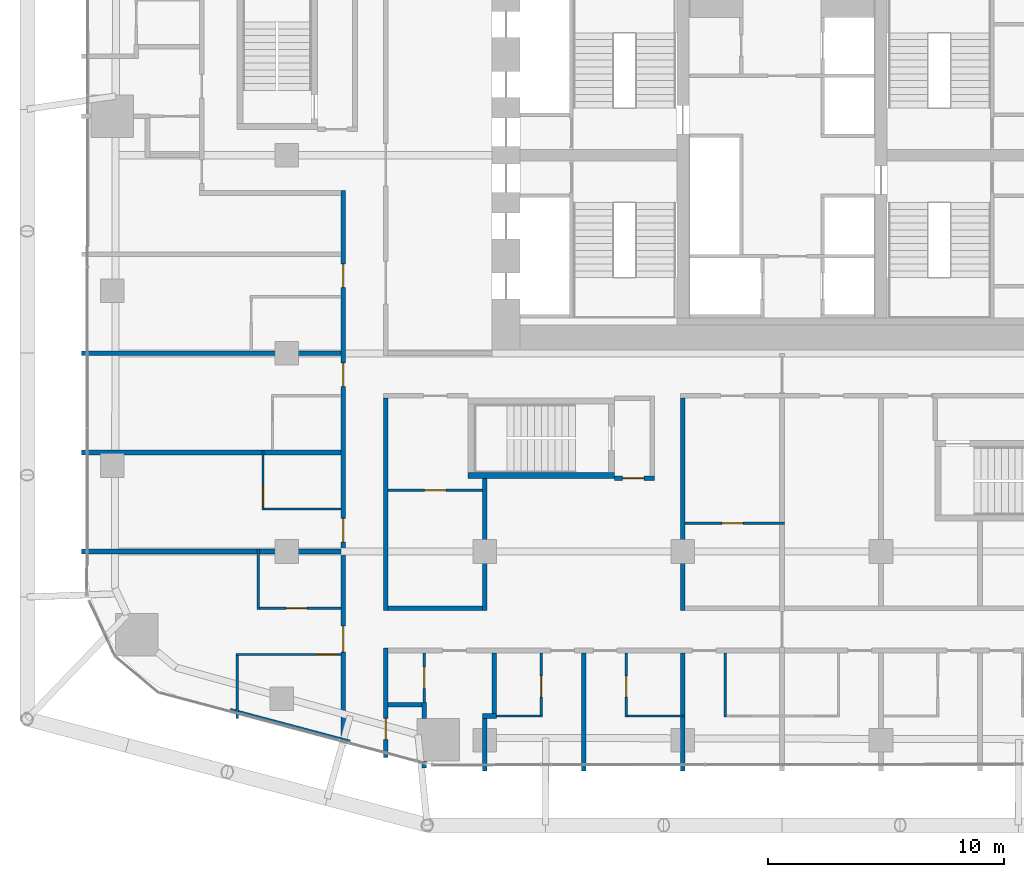
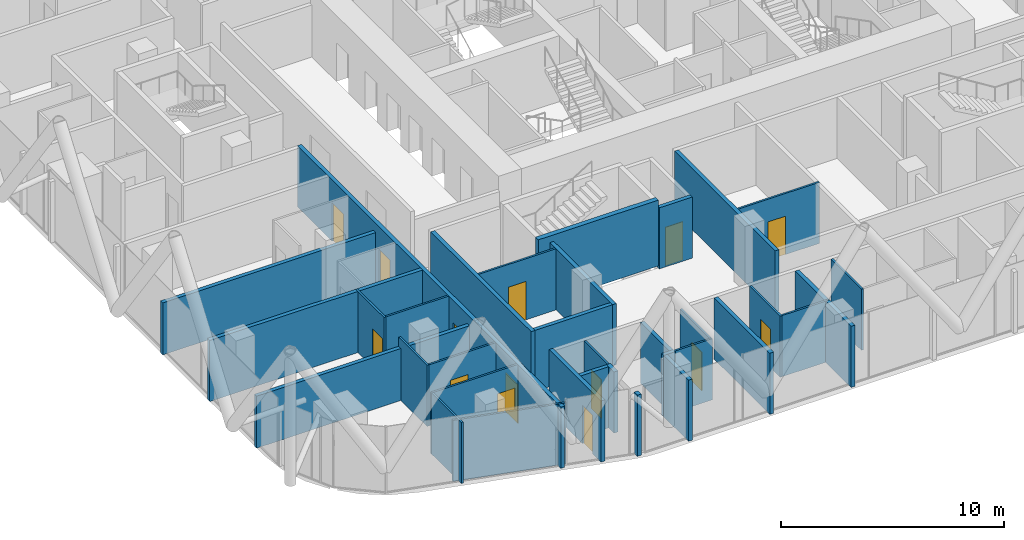
# One storey, part 28 of 38: 34 walls, 14 doors, 14 openings.
"""IFC4 building model written with IfcOpenShell, lengths in metres."""

from ifc_helpers import new_model, si_unit, direction, frame, frame_2d, origin, place, context, subcontext, project, spatial, rectangle, extrude, material, layer, layer_set, type_object, element, fill, save


model = new_model("IFC4")

# Units and contexts
model_context = context("Model", 3, precision=1e-05, world=origin(), true_north=direction((0.0, 1.0)))
body_context = subcontext(model_context, "Body", "Model", "MODEL_VIEW")
ifc_project = project(units=[si_unit("LENGTHUNIT", "METRE"), si_unit("AREAUNIT", "SQUARE_METRE"), si_unit("VOLUMEUNIT", "CUBIC_METRE"), si_unit("PLANEANGLEUNIT", "RADIAN"), si_unit("MASSUNIT", "GRAM", prefix="KILO")], contexts=[model_context])

# Site, building, storey
site_placement = place(None, origin())
site = spatial("IfcSite", under=ifc_project, at=site_placement, CompositionType="ELEMENT")
building_placement = place(site_placement, origin())
building = spatial("IfcBuilding", under=site, at=building_placement, Name="Marenta Gate Hotel Tower", CompositionType="ELEMENT")
storey_placement = place(building_placement, frame((0.0, 0.0, 40.10009765625)))
storey = spatial("IfcBuildingStorey", under=building, at=storey_placement, Name="L07", CompositionType="ELEMENT", Elevation=40.10009765625)

# Walls
ifc_material_1 = material(Name="Concrete C40", Category="concrete")
ifc_layer_1 = layer(ifc_material_1, 0.25)
ifc_layer_set_1 = layer_set([ifc_layer_1], Name="Concrete C40")
wall_type_1 = type_object("IfcWallType", Name="Remote stair enclosure wall 250 REI 180", PredefinedType="SHEAR", material=ifc_layer_set_1)
wall_1_placement = place(storey_placement, frame((-13.300048828125, -5.175048828125, 0.099853515625), z_axis=(0.0, 0.0, 1.0), x_axis=(1.0, 0.0, 0.0)))
element("IfcWall", 1, at=wall_1_placement, inside=storey, type_object=wall_type_1, Name="L07-RS-Z1-2-W1", PredefinedType="SHEAR", context=body_context, shape_type="SweptSolid", body=[
    extrude(rectangle(XDim=6.199951171875, YDim=0.25, at=frame_2d((3.10009765625, 0.0))), origin(), (0.0, 0.0, 1.0), 3.60009765625),
])
ifc_material_2 = material(Name="Concrete blockwork", Category="masonry")
ifc_layer_2 = layer(ifc_material_2, 0.199951171875)
ifc_layer_set_2 = layer_set([ifc_layer_2], Name="Concrete blockwork")
wall_type_2 = type_object("IfcWallType", Name="Room corridor wall 200 EI 120", PredefinedType="PARTITIONING", material=ifc_layer_set_2)
wall_2_placement = place(storey_placement, frame((-4.199951171875, -10.89990234375, 0.0), z_axis=(0.0, 0.0, 1.0), x_axis=(0.0, 1.0, 0.0)))
element("IfcWall", 2, at=wall_2_placement, inside=storey, type_object=wall_type_2, Name="L07-PTN-W080", PredefinedType="PARTITIONING", context=body_context, shape_type="SweptSolid", body=[
    extrude(rectangle(XDim=9.0, YDim=0.199951171875, at=frame_2d((4.5, 0.0))), origin(), (0.0, 0.0, 1.0), 3.33984375),
])

# Wall, opening, door
wall_3_placement = place(storey_placement, frame((-16.800048828125, -17.14306640625, 0.0), z_axis=(0.0, 0.0, 1.0), x_axis=(0.0, 1.0, 0.0)))
wall_3 = element("IfcWall", 3, at=wall_3_placement, inside=storey, type_object=wall_type_2, Name="L07-PTN-W110", PredefinedType="PARTITIONING", context=body_context, shape_type="SweptSolid", body=[
    extrude(rectangle(XDim=4.64306640625, YDim=0.199951171875, at=frame_2d((2.321533203125, 0.0))), origin(), (0.0, 0.0, 1.0), 3.33984375),
])
opening_1_placement = place(wall_3_placement, frame((0.77197265625, 0.0, 0.0)))
opening_1 = element("IfcOpeningElement", 4, at=opening_1_placement, cuts=wall_3, Name="Opening G02-78", PredefinedType="OPENING", context=body_context, shape_type="SweptSolid", body=[
    extrude(rectangle(XDim=0.89990234375, YDim=2.10009765625, at=frame_2d((0.449951171875, 1.050048828125))), frame((0.0, 0.10009765625, 0.0), z_axis=(0.0, -1.0, 0.0), x_axis=(1.0, 0.0, 0.0)), (0.0, 0.0, 1.0), 0.199951171875),
])
ifc_material_3 = material(Name="Hollow steel door set", Category="steel")
door_type_1 = type_object("IfcDoorType", Name="Room service door 900x2100 EI 60", OperationType="NOTDEFINED", PredefinedType="DOOR", material=ifc_material_3)
door_1_placement = place(opening_1_placement, origin())
door_1 = element("IfcDoor", 5, at=door_1_placement, inside=storey, type_object=door_type_1, Name="L07-PD-D078", OperationType="SINGLE_SWING_LEFT", OverallHeight=2.10009765625, OverallWidth=0.89990234375, PredefinedType="DOOR", context=body_context, shape_type="SweptSolid", body=[
    extrude(rectangle(XDim=0.89990234375, YDim=2.10009765625, at=frame_2d((0.449951171875, 1.050048828125))), frame((0.0, 0.02490234375, 0.0), z_axis=(0.0, -1.0, 0.0), x_axis=(1.0, 0.0, 0.0)), (0.0, 0.0, 1.0), 0.050048828125),
])
fill(opening_1, door_1)

# Walls
ifc_material_4 = material(Name="Gypsum board on steel stud", Category="steel")
ifc_layer_3 = layer(ifc_material_4, 0.199951171875)
ifc_layer_set_3 = layer_set([ifc_layer_3], Name="Gypsum board on steel stud")
wall_type_3 = type_object("IfcWallType", Name="Room corridor wall 200 EI 60", PredefinedType="PARTITIONING", material=ifc_layer_set_3)
wall_4_placement = place(storey_placement, frame((-16.699951171875, -10.800048828125, 0.0), z_axis=(0.0, 0.0, 1.0), x_axis=(1.0, 0.0, 0.0)))
element("IfcWall", 6, at=wall_4_placement, inside=storey, type_object=wall_type_3, Name="L07-PTN-W038", PredefinedType="PARTITIONING", context=body_context, shape_type="SweptSolid", body=[
    extrude(rectangle(XDim=4.0, YDim=0.199951171875, at=frame_2d((2.0, 0.0))), origin(), (0.0, 0.0, 1.0), 3.33984375),
])
wall_5_placement = place(storey_placement, frame((-12.60009765625, -10.89990234375, 0.0), z_axis=(0.0, 0.0, 1.0), x_axis=(0.0, 1.0, 0.0)))
element("IfcWall", 7, at=wall_5_placement, inside=storey, type_object=wall_type_3, Name="L07-PTN-W100", PredefinedType="PARTITIONING", context=body_context, shape_type="SweptSolid", body=[
    extrude(rectangle(XDim=5.599853515625, YDim=0.199951171875, at=frame_2d((2.7998046875, 0.0))), origin(), (0.0, 0.0, 1.0), 3.33984375),
])
wall_6_placement = place(storey_placement, frame((-16.800048828125, -10.89990234375, 0.0), z_axis=(0.0, 0.0, 1.0), x_axis=(0.0, 1.0, 0.0)))
element("IfcWall", 8, at=wall_6_placement, inside=storey, type_object=wall_type_3, Name="L07-PTN-W111", PredefinedType="PARTITIONING", context=body_context, shape_type="SweptSolid", body=[
    extrude(rectangle(XDim=9.0, YDim=0.199951171875, at=frame_2d((4.5, 0.0))), origin(), (0.0, 0.0, 1.0), 3.33984375),
])

# Wall, openings, doors
wall_7_placement = place(storey_placement, frame((-18.60009765625, -16.6650390625, 0.0), z_axis=(0.0, 0.0, 1.0), x_axis=(0.0, 1.0, 0.0)))
wall_7 = element("IfcWall", 9, at=wall_7_placement, inside=storey, type_object=wall_type_3, Name="L07-PTN-W119", PredefinedType="PARTITIONING", context=body_context, shape_type="SweptSolid", body=[
    extrude(rectangle(XDim=23.56494140625, YDim=0.199951171875, at=frame_2d((11.782470703125, 0.0))), origin(), (0.0, 0.0, 1.0), 3.33984375),
])
opening_2_placement = place(wall_7_placement, frame((4.0, 0.0, 0.0)))
opening_2 = element("IfcOpeningElement", 10, at=opening_2_placement, cuts=wall_7, Name="Opening G02-52", PredefinedType="OPENING", context=body_context, shape_type="SweptSolid", body=[
    extrude(rectangle(XDim=1.10009765625, YDim=2.10009765625, at=frame_2d((0.550048828125, 1.050048828125))), frame((0.0, 0.10009765625, 0.0), z_axis=(0.0, -1.0, 0.0), x_axis=(1.0, 0.0, 0.0)), (0.0, 0.0, 1.0), 0.199951171875),
])
opening_3_placement = place(wall_7_placement, frame((8.6650390625, 0.0, 0.0)))
opening_3 = element("IfcOpeningElement", 11, at=opening_3_placement, cuts=wall_7, Name="Opening G02-55", PredefinedType="OPENING", context=body_context, shape_type="SweptSolid", body=[
    extrude(rectangle(XDim=1.0, YDim=2.10009765625, at=frame_2d((0.5, 1.050048828125))), frame((0.0, 0.10009765625, 0.0), z_axis=(0.0, -1.0, 0.0), x_axis=(1.0, 0.0, 0.0)), (0.0, 0.0, 1.0), 0.199951171875),
])
opening_4_placement = place(wall_7_placement, frame((15.264892578125, 0.0, 0.0)))
opening_4 = element("IfcOpeningElement", 12, at=opening_4_placement, cuts=wall_7, Name="Opening G02-57", PredefinedType="OPENING", context=body_context, shape_type="SweptSolid", body=[
    extrude(rectangle(XDim=1.0, YDim=2.10009765625, at=frame_2d((0.5, 1.050048828125))), frame((0.0, 0.10009765625, 0.0), z_axis=(0.0, -1.0, 0.0), x_axis=(1.0, 0.0, 0.0)), (0.0, 0.0, 1.0), 0.199951171875),
])
opening_5_placement = place(wall_7_placement, frame((19.465087890625, 0.0, 0.0)))
opening_5 = element("IfcOpeningElement", 13, at=opening_5_placement, cuts=wall_7, Name="Opening G02-59", PredefinedType="OPENING", context=body_context, shape_type="SweptSolid", body=[
    extrude(rectangle(XDim=1.0, YDim=2.10009765625, at=frame_2d((0.5, 1.050048828125))), frame((0.0, 0.10009765625, 0.0), z_axis=(0.0, -1.0, 0.0), x_axis=(1.0, 0.0, 0.0)), (0.0, 0.0, 1.0), 0.199951171875),
])
ifc_material_5 = material(Name="Timber door leaf", Category="wood")
door_type_2 = type_object("IfcDoorType", Name="Guest room door 1000x2100 EI 30", OperationType="NOTDEFINED", PredefinedType="DOOR", material=ifc_material_5)
door_2_placement = place(opening_3_placement, origin())
door_2 = element("IfcDoor", 14, at=door_2_placement, inside=storey, type_object=door_type_2, Name="L07-PD-D055", OperationType="SINGLE_SWING_RIGHT", OverallHeight=2.10009765625, OverallWidth=1.0, PredefinedType="DOOR", context=body_context, shape_type="SweptSolid", body=[
    extrude(rectangle(XDim=1.0, YDim=2.10009765625, at=frame_2d((0.5, 1.050048828125))), frame((0.0, 0.02490234375, 0.0), z_axis=(0.0, -1.0, 0.0), x_axis=(1.0, 0.0, 0.0)), (0.0, 0.0, 1.0), 0.050048828125),
])
fill(opening_3, door_2)
door_3_placement = place(opening_4_placement, origin())
door_3 = element("IfcDoor", 15, at=door_3_placement, inside=storey, type_object=door_type_2, Name="L07-PD-D057", OperationType="SINGLE_SWING_RIGHT", OverallHeight=2.10009765625, OverallWidth=1.0, PredefinedType="DOOR", context=body_context, shape_type="SweptSolid", body=[
    extrude(rectangle(XDim=1.0, YDim=2.10009765625, at=frame_2d((0.5, 1.050048828125))), frame((0.0, 0.02490234375, 0.0), z_axis=(0.0, -1.0, 0.0), x_axis=(1.0, 0.0, 0.0)), (0.0, 0.0, 1.0), 0.050048828125),
])
fill(opening_4, door_3)
door_4_placement = place(opening_5_placement, origin())
door_4 = element("IfcDoor", 16, at=door_4_placement, inside=storey, type_object=door_type_2, Name="L07-PD-D059", OperationType="SINGLE_SWING_RIGHT", OverallHeight=2.10009765625, OverallWidth=1.0, PredefinedType="DOOR", context=body_context, shape_type="SweptSolid", body=[
    extrude(rectangle(XDim=1.0, YDim=2.10009765625, at=frame_2d((0.5, 1.050048828125))), frame((0.0, 0.02490234375, 0.0), z_axis=(0.0, -1.0, 0.0), x_axis=(1.0, 0.0, 0.0)), (0.0, 0.0, 1.0), 0.050048828125),
])
fill(opening_5, door_4)
ifc_material_6 = material(Name="Timber door leaf", Category="wood")
door_type_3 = type_object("IfcDoorType", Name="Guest room door 1100x2100 EI 30", OperationType="NOTDEFINED", PredefinedType="DOOR", material=ifc_material_6)
door_5_placement = place(opening_2_placement, origin())
door_5 = element("IfcDoor", 17, at=door_5_placement, inside=storey, type_object=door_type_3, Name="L07-PD-D052", OperationType="SINGLE_SWING_LEFT", OverallHeight=2.10009765625, OverallWidth=1.10009765625, PredefinedType="DOOR", context=body_context, shape_type="SweptSolid", body=[
    extrude(rectangle(XDim=1.10009765625, YDim=2.10009765625, at=frame_2d((0.550048828125, 1.050048828125))), frame((0.0, 0.02490234375, 0.0), z_axis=(0.0, -1.0, 0.0), x_axis=(1.0, 0.0, 0.0)), (0.0, 0.0, 1.0), 0.050048828125),
])
fill(opening_2, door_5)

# Wall, opening, door
ifc_material_7 = material(Name="Concrete blockwork", Category="masonry")
ifc_layer_4 = layer(ifc_material_7, 0.199951171875)
ifc_layer_set_4 = layer_set([ifc_layer_4], Name="Concrete blockwork")
wall_type_4 = type_object("IfcWallType", Name="Room corridor wall 200 REI 180", PredefinedType="PARTITIONING", material=ifc_layer_set_4)
wall_8_placement = place(storey_placement, frame((-7.10009765625, -5.300048828125, 0.0), z_axis=(0.0, 0.0, 1.0), x_axis=(1.0, 0.0, 0.0)))
wall_8 = element("IfcWall", 18, at=wall_8_placement, inside=storey, type_object=wall_type_4, Name="L07-PTN-W053", PredefinedType="PARTITIONING", context=body_context, shape_type="SweptSolid", body=[
    extrude(rectangle(XDim=1.7001953125, YDim=0.199951171875, at=frame_2d((0.85009765625, 0.0))), origin(), (0.0, 0.0, 1.0), 3.33984375),
])
opening_6_placement = place(wall_8_placement, frame((0.35009765625, 0.0, 0.0)))
opening_6 = element("IfcOpeningElement", 19, at=opening_6_placement, cuts=wall_8, Name="Opening G02-69", PredefinedType="OPENING", context=body_context, shape_type="SweptSolid", body=[
    extrude(rectangle(XDim=0.89990234375, YDim=2.10009765625, at=frame_2d((0.449951171875, 1.050048828125))), frame((0.0, 0.10009765625, 0.0), z_axis=(0.0, -1.0, 0.0), x_axis=(1.0, 0.0, 0.0)), (0.0, 0.0, 1.0), 0.199951171875),
])
ifc_material_8 = material(Name="Hollow steel door set", Category="steel")
door_type_4 = type_object("IfcDoorType", Name="Stair vestibule door 900x2100 EI 60", OperationType="NOTDEFINED", PredefinedType="DOOR", material=ifc_material_8)
door_6_placement = place(opening_6_placement, origin())
door_6 = element("IfcDoor", 20, at=door_6_placement, inside=storey, type_object=door_type_4, Name="L07-PD-D069", OperationType="SINGLE_SWING_RIGHT", OverallHeight=2.10009765625, OverallWidth=0.89990234375, PredefinedType="DOOR", context=body_context, shape_type="SweptSolid", body=[
    extrude(rectangle(XDim=0.89990234375, YDim=2.10009765625, at=frame_2d((0.449951171875, 1.050048828125))), frame((0.0, 0.02490234375, 0.0), z_axis=(0.0, -1.0, 0.0), x_axis=(1.0, 0.0, 0.0)), (0.0, 0.0, 1.0), 0.050048828125),
])
fill(opening_6, door_6)

# Walls
ifc_material_9 = material(Name="Gypsum board on steel stud", Category="steel")
ifc_layer_5 = layer(ifc_material_9, 0.10009765625)
ifc_layer_set_5 = layer_set([ifc_layer_5], Name="Gypsum board on steel stud")
wall_type_5 = type_object("IfcWallType", Name="Room partition 100", PredefinedType="PARTITIONING", material=ifc_layer_set_5)
wall_9_placement = place(storey_placement, frame((-23.389892578125, -15.093994140625, 0.0), z_axis=(0.0, 0.0, 1.0), x_axis=(0.966552628131, -0.256468354876, 0.0)))
element("IfcWall", 21, at=wall_9_placement, inside=storey, type_object=wall_type_5, Name="L07-PTN-W010", PredefinedType="PARTITIONING", context=body_context, shape_type="SweptSolid", body=[
    extrude(rectangle(XDim=5.255615234375, YDim=0.10009765625, at=frame_2d((2.6279296875, 0.0))), origin(), (0.0, 0.0, 1.0), 3.33984375),
])
wall_10_placement = place(storey_placement, frame((-12.10009765625, -15.375, 0.0), z_axis=(0.0, 0.0, 1.0), x_axis=(1.0, 0.0, 0.0)))
element("IfcWall", 22, at=wall_10_placement, inside=storey, type_object=wall_type_5, Name="L07-PTN-W019", PredefinedType="PARTITIONING", context=body_context, shape_type="SweptSolid", body=[
    extrude(rectangle(XDim=1.9501953125, YDim=0.10009765625, at=frame_2d((0.97509765625, 0.0))), origin(), (0.0, 0.0, 1.0), 3.33984375),
])
wall_11_placement = place(storey_placement, frame((-6.550048828125, -15.375, 0.0), z_axis=(0.0, 0.0, 1.0), x_axis=(1.0, 0.0, 0.0)))
element("IfcWall", 23, at=wall_11_placement, inside=storey, type_object=wall_type_5, Name="L07-PTN-W020", PredefinedType="PARTITIONING", context=body_context, shape_type="SweptSolid", body=[
    extrude(rectangle(XDim=2.449951171875, YDim=0.10009765625, at=frame_2d((1.22509765625, 0.0))), origin(), (0.0, 0.0, 1.0), 3.33984375),
])

# Wall, opening, door
wall_12_placement = place(storey_placement, frame((-23.14990234375, -12.764892578125, 0.0), z_axis=(0.0, 0.0, 1.0), x_axis=(1.0, 0.0, 0.0)))
wall_12 = element("IfcWall", 24, at=wall_12_placement, inside=storey, type_object=wall_type_5, Name="L07-PTN-W029", PredefinedType="PARTITIONING", context=body_context, shape_type="SweptSolid", body=[
    extrude(rectangle(XDim=4.449951171875, YDim=0.10009765625, at=frame_2d((2.22509765625, 0.0))), origin(), (0.0, 0.0, 1.0), 3.33984375),
])
opening_7_placement = place(wall_12_placement, frame((3.39990234375, 0.0, 0.0)))
opening_7 = element("IfcOpeningElement", 25, at=opening_7_placement, cuts=wall_12, Name="Opening G02-53", PredefinedType="OPENING", context=body_context, shape_type="SweptSolid", body=[
    extrude(rectangle(XDim=0.89990234375, YDim=2.10009765625, at=frame_2d((0.449951171875, 1.050048828125))), frame((0.0, 0.050048828125, 0.0), z_axis=(0.0, -1.0, 0.0), x_axis=(1.0, 0.0, 0.0)), (0.0, 0.0, 1.0), 0.10009765625),
])
ifc_material_10 = material(Name="Timber door leaf", Category="wood")
door_type_5 = type_object("IfcDoorType", Name="Guest bathroom door 900x2100", OperationType="NOTDEFINED", PredefinedType="DOOR", material=ifc_material_10)
door_7_placement = place(opening_7_placement, origin())
door_7 = element("IfcDoor", 26, at=door_7_placement, inside=storey, type_object=door_type_5, Name="L07-PD-D053", OperationType="SINGLE_SWING_LEFT", OverallHeight=2.10009765625, OverallWidth=0.89990234375, PredefinedType="DOOR", context=body_context, shape_type="SweptSolid", body=[
    extrude(rectangle(XDim=0.89990234375, YDim=2.10009765625, at=frame_2d((0.449951171875, 1.050048828125))), frame((0.0, 0.02490234375, 0.0), z_axis=(0.0, -1.0, 0.0), x_axis=(1.0, 0.0, 0.0)), (0.0, 0.0, 1.0), 0.050048828125),
])
fill(opening_7, door_7)

wall_13_placement = place(storey_placement, frame((-22.14990234375, -10.800048828125, 0.0), z_axis=(0.0, 0.0, 1.0), x_axis=(1.0, 0.0, 0.0)))
wall_13 = element("IfcWall", 27, at=wall_13_placement, inside=storey, type_object=wall_type_5, Name="L07-PTN-W036", PredefinedType="PARTITIONING", context=body_context, shape_type="SweptSolid", body=[
    extrude(rectangle(XDim=3.449951171875, YDim=0.10009765625, at=frame_2d((1.72509765625, 0.0))), origin(), (0.0, 0.0, 1.0), 3.33984375),
])
opening_8_placement = place(wall_13_placement, frame((1.1201171875, 0.0, 0.0)))
opening_8 = element("IfcOpeningElement", 28, at=opening_8_placement, cuts=wall_13, Name="Opening G02-54", PredefinedType="OPENING", context=body_context, shape_type="SweptSolid", body=[
    extrude(rectangle(XDim=0.89990234375, YDim=2.10009765625, at=frame_2d((0.449951171875, 1.050048828125))), frame((0.0, 0.050048828125, 0.0), z_axis=(0.0, -1.0, 0.0), x_axis=(1.0, 0.0, 0.0)), (0.0, 0.0, 1.0), 0.10009765625),
])
ifc_material_11 = material(Name="Timber door leaf", Category="wood")
door_type_6 = type_object("IfcDoorType", Name="Room inner door 900x2100", OperationType="NOTDEFINED", PredefinedType="DOOR", material=ifc_material_11)
door_8_placement = place(opening_8_placement, origin())
door_8 = element("IfcDoor", 29, at=door_8_placement, inside=storey, type_object=door_type_6, Name="L07-PD-D054", OperationType="SINGLE_SWING_LEFT", OverallHeight=2.10009765625, OverallWidth=0.89990234375, PredefinedType="DOOR", context=body_context, shape_type="SweptSolid", body=[
    extrude(rectangle(XDim=0.89990234375, YDim=2.10009765625, at=frame_2d((0.449951171875, 1.050048828125))), frame((0.0, 0.02490234375, 0.0), z_axis=(0.0, -1.0, 0.0), x_axis=(1.0, 0.0, 0.0)), (0.0, 0.0, 1.0), 0.050048828125),
])
fill(opening_8, door_8)

wall_14_placement = place(storey_placement, frame((-4.10009765625, -7.199951171875, 0.0), z_axis=(0.0, 0.0, 1.0), x_axis=(1.0, 0.0, 0.0)))
wall_14 = element("IfcWall", 30, at=wall_14_placement, inside=storey, type_object=wall_type_5, Name="L07-PTN-W047", PredefinedType="PARTITIONING", context=body_context, shape_type="SweptSolid", body=[
    extrude(rectangle(XDim=4.2001953125, YDim=0.10009765625, at=frame_2d((2.10009765625, 0.0))), origin(), (0.0, 0.0, 1.0), 3.33984375),
])
opening_9_placement = place(wall_14_placement, frame((1.550048828125, 0.0, 0.0)))
opening_9 = element("IfcOpeningElement", 31, at=opening_9_placement, cuts=wall_14, Name="Opening G02-09", PredefinedType="OPENING", context=body_context, shape_type="SweptSolid", body=[
    extrude(rectangle(XDim=0.89990234375, YDim=2.10009765625, at=frame_2d((0.449951171875, 1.050048828125))), frame((0.0, 0.050048828125, 0.0), z_axis=(0.0, -1.0, 0.0), x_axis=(1.0, 0.0, 0.0)), (0.0, 0.0, 1.0), 0.10009765625),
])
door_9_placement = place(opening_9_placement, origin())
door_9 = element("IfcDoor", 32, at=door_9_placement, inside=storey, type_object=door_type_6, Name="L07-PD-D009", OperationType="SINGLE_SWING_RIGHT", OverallHeight=2.10009765625, OverallWidth=0.89990234375, PredefinedType="DOOR", context=body_context, shape_type="SweptSolid", body=[
    extrude(rectangle(XDim=0.89990234375, YDim=2.10009765625, at=frame_2d((0.449951171875, 1.050048828125))), frame((0.0, 0.02490234375, 0.0), z_axis=(0.0, -1.0, 0.0), x_axis=(1.0, 0.0, 0.0)), (0.0, 0.0, 1.0), 0.050048828125),
])
fill(opening_9, door_9)

# Wall
wall_15_placement = place(storey_placement, frame((-21.949951171875, -6.60009765625, 0.0), z_axis=(0.0, 0.0, 1.0), x_axis=(1.0, 0.0, 0.0)))
element("IfcWall", 33, at=wall_15_placement, inside=storey, type_object=wall_type_5, Name="L07-PTN-W050", PredefinedType="PARTITIONING", context=body_context, shape_type="SweptSolid", body=[
    extrude(rectangle(XDim=3.25, YDim=0.10009765625, at=frame_2d((1.625, 0.0))), origin(), (0.0, 0.0, 1.0), 3.33984375),
])

# Wall, opening, door
wall_16_placement = place(storey_placement, frame((-16.699951171875, -5.800048828125, 0.0), z_axis=(0.0, 0.0, 1.0), x_axis=(1.0, 0.0, 0.0)))
wall_16 = element("IfcWall", 34, at=wall_16_placement, inside=storey, type_object=wall_type_5, Name="L07-PTN-W052", PredefinedType="PARTITIONING", context=body_context, shape_type="SweptSolid", body=[
    extrude(rectangle(XDim=4.0, YDim=0.10009765625, at=frame_2d((2.0, 0.0))), origin(), (0.0, 0.0, 1.0), 3.33984375),
])
opening_10_placement = place(wall_16_placement, frame((1.550048828125, 0.0, 0.0)))
opening_10 = element("IfcOpeningElement", 35, at=opening_10_placement, cuts=wall_16, Name="Opening G02-07", PredefinedType="OPENING", context=body_context, shape_type="SweptSolid", body=[
    extrude(rectangle(XDim=0.89990234375, YDim=2.10009765625, at=frame_2d((0.449951171875, 1.050048828125))), frame((0.0, 0.050048828125, 0.0), z_axis=(0.0, -1.0, 0.0), x_axis=(1.0, 0.0, 0.0)), (0.0, 0.0, 1.0), 0.10009765625),
])
door_10_placement = place(opening_10_placement, origin())
door_10 = element("IfcDoor", 36, at=door_10_placement, inside=storey, type_object=door_type_6, Name="L07-PD-D007", OperationType="SINGLE_SWING_LEFT", OverallHeight=2.10009765625, OverallWidth=0.89990234375, PredefinedType="DOOR", context=body_context, shape_type="SweptSolid", body=[
    extrude(rectangle(XDim=0.89990234375, YDim=2.10009765625, at=frame_2d((0.449951171875, 1.050048828125))), frame((0.0, 0.02490234375, 0.0), z_axis=(0.0, -1.0, 0.0), x_axis=(1.0, 0.0, 0.0)), (0.0, 0.0, 1.0), 0.050048828125),
])
fill(opening_10, door_10)

# Wall
wall_17_placement = place(storey_placement, frame((-2.39990234375, -15.425048828125, 0.0), z_axis=(0.0, 0.0, 1.0), x_axis=(0.0, 1.0, 0.0)))
element("IfcWall", 37, at=wall_17_placement, inside=storey, type_object=wall_type_5, Name="L07-PTN-W075", PredefinedType="PARTITIONING", context=body_context, shape_type="SweptSolid", body=[
    extrude(rectangle(XDim=2.72509765625, YDim=0.10009765625, at=frame_2d((1.362548828125, 0.0))), origin(), (0.0, 0.0, 1.0), 3.33984375),
])

# Wall, opening, door
wall_18_placement = place(storey_placement, frame((-6.60009765625, -15.425048828125, 0.0), z_axis=(0.0, 0.0, 1.0), x_axis=(0.0, 1.0, 0.0)))
wall_18 = element("IfcWall", 38, at=wall_18_placement, inside=storey, type_object=wall_type_5, Name="L07-PTN-W084", PredefinedType="PARTITIONING", context=body_context, shape_type="SweptSolid", body=[
    extrude(rectangle(XDim=2.72509765625, YDim=0.10009765625, at=frame_2d((1.362548828125, 0.0))), origin(), (0.0, 0.0, 1.0), 3.33984375),
])
opening_11_placement = place(wall_18_placement, frame((0.84912109375, 0.0, 0.0)))
opening_11 = element("IfcOpeningElement", 39, at=opening_11_placement, cuts=wall_18, Name="Opening G02-43", PredefinedType="OPENING", context=body_context, shape_type="SweptSolid", body=[
    extrude(rectangle(XDim=0.89990234375, YDim=2.10009765625, at=frame_2d((0.449951171875, 1.050048828125))), frame((0.0, 0.050048828125, 0.0), z_axis=(0.0, -1.0, 0.0), x_axis=(1.0, 0.0, 0.0)), (0.0, 0.0, 1.0), 0.10009765625),
])
door_11_placement = place(opening_11_placement, origin())
door_11 = element("IfcDoor", 40, at=door_11_placement, inside=storey, type_object=door_type_5, Name="L07-PD-D043", OperationType="SINGLE_SWING_RIGHT", OverallHeight=2.10009765625, OverallWidth=0.89990234375, PredefinedType="DOOR", context=body_context, shape_type="SweptSolid", body=[
    extrude(rectangle(XDim=0.89990234375, YDim=2.10009765625, at=frame_2d((0.449951171875, 1.050048828125))), frame((0.0, 0.02490234375, 0.0), z_axis=(0.0, -1.0, 0.0), x_axis=(1.0, 0.0, 0.0)), (0.0, 0.0, 1.0), 0.050048828125),
])
fill(opening_11, door_11)

wall_19_placement = place(storey_placement, frame((-10.199951171875, -15.324951171875, 0.0), z_axis=(0.0, 0.0, 1.0), x_axis=(0.0, 1.0, 0.0)))
wall_19 = element("IfcWall", 41, at=wall_19_placement, inside=storey, type_object=wall_type_5, Name="L07-PTN-W093", PredefinedType="PARTITIONING", context=body_context, shape_type="SweptSolid", body=[
    extrude(rectangle(XDim=2.625, YDim=0.10009765625, at=frame_2d((1.3125, 0.0))), origin(), (0.0, 0.0, 1.0), 3.33984375),
])
opening_12_placement = place(wall_19_placement, frame((0.7490234375, 0.0, 0.0)))
opening_12 = element("IfcOpeningElement", 42, at=opening_12_placement, cuts=wall_19, Name="Opening G02-41", PredefinedType="OPENING", context=body_context, shape_type="SweptSolid", body=[
    extrude(rectangle(XDim=0.89990234375, YDim=2.10009765625, at=frame_2d((0.449951171875, 1.050048828125))), frame((0.0, 0.050048828125, 0.0), z_axis=(0.0, -1.0, 0.0), x_axis=(1.0, 0.0, 0.0)), (0.0, 0.0, 1.0), 0.10009765625),
])
door_12_placement = place(opening_12_placement, origin())
door_12 = element("IfcDoor", 43, at=door_12_placement, inside=storey, type_object=door_type_5, Name="L07-PD-D041", OperationType="SINGLE_SWING_LEFT", OverallHeight=2.10009765625, OverallWidth=0.89990234375, PredefinedType="DOOR", context=body_context, shape_type="SweptSolid", body=[
    extrude(rectangle(XDim=0.89990234375, YDim=2.10009765625, at=frame_2d((0.449951171875, 1.050048828125))), frame((0.0, 0.02490234375, 0.0), z_axis=(0.0, -1.0, 0.0), x_axis=(1.0, 0.0, 0.0)), (0.0, 0.0, 1.0), 0.050048828125),
])
fill(opening_12, door_12)

wall_20_placement = place(storey_placement, frame((-15.166015625, -15.0, 0.0), z_axis=(0.0, 0.0, 1.0), x_axis=(0.0, 1.0, 0.0)))
wall_20 = element("IfcWall", 44, at=wall_20_placement, inside=storey, type_object=wall_type_5, Name="L07-PTN-W108", PredefinedType="PARTITIONING", context=body_context, shape_type="SweptSolid", body=[
    extrude(rectangle(XDim=2.300048828125, YDim=0.10009765625, at=frame_2d((1.14990234375, 0.0))), origin(), (0.0, 0.0, 1.0), 3.33984375),
])
opening_13_placement = place(wall_20_placement, frame((0.800048828125, 0.0, 0.0)))
opening_13 = element("IfcOpeningElement", 45, at=opening_13_placement, cuts=wall_20, Name="Opening G02-77", PredefinedType="OPENING", context=body_context, shape_type="SweptSolid", body=[
    extrude(rectangle(XDim=0.89990234375, YDim=2.10009765625, at=frame_2d((0.449951171875, 1.050048828125))), frame((0.0, 0.050048828125, 0.0), z_axis=(0.0, -1.0, 0.0), x_axis=(1.0, 0.0, 0.0)), (0.0, 0.0, 1.0), 0.10009765625),
])
door_13_placement = place(opening_13_placement, origin())
door_13 = element("IfcDoor", 46, at=door_13_placement, inside=storey, type_object=door_type_5, Name="L07-PD-D077", OperationType="SINGLE_SWING_RIGHT", OverallHeight=2.10009765625, OverallWidth=0.89990234375, PredefinedType="DOOR", context=body_context, shape_type="SweptSolid", body=[
    extrude(rectangle(XDim=0.89990234375, YDim=2.10009765625, at=frame_2d((0.449951171875, 1.050048828125))), frame((0.0, 0.02490234375, 0.0), z_axis=(0.0, -1.0, 0.0), x_axis=(1.0, 0.0, 0.0)), (0.0, 0.0, 1.0), 0.050048828125),
])
fill(opening_13, door_13)

wall_21_placement = place(storey_placement, frame((-22.0, -6.64990234375, 0.0), z_axis=(0.0, 0.0, 1.0), x_axis=(0.0, 1.0, 0.0)))
wall_21 = element("IfcWall", 47, at=wall_21_placement, inside=storey, type_object=wall_type_5, Name="L07-PTN-W128", PredefinedType="PARTITIONING", context=body_context, shape_type="SweptSolid", body=[
    extrude(rectangle(XDim=2.5498046875, YDim=0.10009765625, at=frame_2d((1.27490234375, 0.0))), origin(), (0.0, 0.0, 1.0), 3.33984375),
])
opening_14_placement = place(wall_21_placement, frame((0.14990234375, 0.0, 0.0)))
opening_14 = element("IfcOpeningElement", 48, at=opening_14_placement, cuts=wall_21, Name="Opening G02-56", PredefinedType="OPENING", context=body_context, shape_type="SweptSolid", body=[
    extrude(rectangle(XDim=0.89990234375, YDim=2.10009765625, at=frame_2d((0.449951171875, 1.050048828125))), frame((0.0, 0.050048828125, 0.0), z_axis=(0.0, -1.0, 0.0), x_axis=(1.0, 0.0, 0.0)), (0.0, 0.0, 1.0), 0.10009765625),
])
door_14_placement = place(opening_14_placement, origin())
door_14 = element("IfcDoor", 49, at=door_14_placement, inside=storey, type_object=door_type_5, Name="L07-PD-D056", OperationType="SINGLE_SWING_RIGHT", OverallHeight=2.10009765625, OverallWidth=0.89990234375, PredefinedType="DOOR", context=body_context, shape_type="SweptSolid", body=[
    extrude(rectangle(XDim=0.89990234375, YDim=2.10009765625, at=frame_2d((0.449951171875, 1.050048828125))), frame((0.0, 0.02490234375, 0.0), z_axis=(0.0, -1.0, 0.0), x_axis=(1.0, 0.0, 0.0)), (0.0, 0.0, 1.0), 0.050048828125),
])
fill(opening_14, door_14)

# Walls
wall_22_placement = place(storey_placement, frame((-22.199951171875, -10.85009765625, 0.0), z_axis=(0.0, 0.0, 1.0), x_axis=(0.0, 1.0, 0.0)))
element("IfcWall", 50, at=wall_22_placement, inside=storey, type_object=wall_type_5, Name="L07-PTN-W130", PredefinedType="PARTITIONING", context=body_context, shape_type="SweptSolid", body=[
    extrude(rectangle(XDim=2.550048828125, YDim=0.10009765625, at=frame_2d((1.27490234375, 0.0))), origin(), (0.0, 0.0, 1.0), 3.33984375),
])
wall_23_placement = place(storey_placement, frame((-23.10009765625, -15.470947265625, 0.0), z_axis=(0.0, 0.0, 1.0), x_axis=(0.0, 1.0, 0.0)))
element("IfcWall", 51, at=wall_23_placement, inside=storey, type_object=wall_type_5, Name="L07-PTN-W135", PredefinedType="PARTITIONING", context=body_context, shape_type="SweptSolid", body=[
    extrude(rectangle(XDim=2.656005859375, YDim=0.10009765625, at=frame_2d((1.328125, 0.0))), origin(), (0.0, 0.0, 1.0), 3.33984375),
])
ifc_material_12 = material(Name="Concrete blockwork", Category="masonry")
ifc_layer_6 = layer(ifc_material_12, 0.199951171875)
ifc_layer_set_6 = layer_set([ifc_layer_6], Name="Concrete blockwork")
wall_type_6 = type_object("IfcWallType", Name="Room party wall 200 EI 120", PredefinedType="PARTITIONING", material=ifc_layer_set_6)
wall_24_placement = place(storey_placement, frame((-16.699951171875, -14.89990234375, 0.0), z_axis=(0.0, 0.0, 1.0), x_axis=(1.0, 0.0, 0.0)))
element("IfcWall", 52, at=wall_24_placement, inside=storey, type_object=wall_type_6, Name="L07-PTN-W026", PredefinedType="PARTITIONING", context=body_context, shape_type="SweptSolid", body=[
    extrude(rectangle(XDim=1.48388671875, YDim=0.199951171875, at=frame_2d((0.741943359375, 0.0))), origin(), (0.0, 0.0, 1.0), 3.33984375),
])
wall_25_placement = place(storey_placement, frame((-15.166015625, -17.572998046875, 0.0), z_axis=(0.0, 0.0, 1.0), x_axis=(0.0, 1.0, 0.0)))
element("IfcWall", 53, at=wall_25_placement, inside=storey, type_object=wall_type_6, Name="L07-PTN-W107", PredefinedType="PARTITIONING", context=body_context, shape_type="SweptSolid", body=[
    extrude(rectangle(XDim=0.298095703125, YDim=0.199951171875, at=frame_2d((0.14892578125, 0.0))), origin(), (0.0, 0.0, 1.0), 3.33984375),
])
wall_26_placement = place(storey_placement, frame((-15.166015625, -15.47509765625, 0.0), z_axis=(0.0, 0.0, 1.0), x_axis=(0.0, 1.0, 0.0)))
element("IfcWall", 54, at=wall_26_placement, inside=storey, type_object=wall_type_6, Name="L07-PTN-W158", PredefinedType="PARTITIONING", context=body_context, shape_type="SweptSolid", body=[
    extrude(rectangle(XDim=0.675048828125, YDim=0.199951171875, at=frame_2d((0.33740234375, 0.0))), origin(), (0.0, 0.0, 1.0), 3.33984375),
])
ifc_material_13 = material(Name="Gypsum board on steel stud", Category="steel")
ifc_layer_7 = layer(ifc_material_13, 0.199951171875)
ifc_layer_set_7 = layer_set([ifc_layer_7], Name="Gypsum board on steel stud")
wall_type_7 = type_object("IfcWallType", Name="Room party wall 200 EI 60", PredefinedType="PARTITIONING", material=ifc_layer_set_7)
wall_27_placement = place(storey_placement, frame((-12.699951171875, -15.375, 0.0), z_axis=(0.0, 0.0, 1.0), x_axis=(1.0, 0.0, 0.0)))
element("IfcWall", 55, at=wall_27_placement, inside=storey, type_object=wall_type_7, Name="L07-PTN-W017", PredefinedType="PARTITIONING", context=body_context, shape_type="SweptSolid", body=[
    extrude(rectangle(XDim=0.599853515625, YDim=0.199951171875, at=frame_2d((0.2998046875, 0.0))), origin(), (0.0, 0.0, 1.0), 3.33984375),
])
wall_28_placement = place(storey_placement, frame((-29.699951171875, -8.39990234375, 0.0), z_axis=(0.0, 0.0, 1.0), x_axis=(1.0, 0.0, 0.0)))
element("IfcWall", 56, at=wall_28_placement, inside=storey, type_object=wall_type_7, Name="L07-PTN-W043", PredefinedType="PARTITIONING", context=body_context, shape_type="SweptSolid", body=[
    extrude(rectangle(XDim=11.0, YDim=0.199951171875, at=frame_2d((5.5, 0.0))), origin(), (0.0, 0.0, 1.0), 2.83984375),
])
wall_29_placement = place(storey_placement, frame((-29.699951171875, -4.199951171875, 0.0), z_axis=(0.0, 0.0, 1.0), x_axis=(1.0, 0.0, 0.0)))
element("IfcWall", 57, at=wall_29_placement, inside=storey, type_object=wall_type_7, Name="L07-PTN-W058", PredefinedType="PARTITIONING", context=body_context, shape_type="SweptSolid", body=[
    extrude(rectangle(XDim=11.0, YDim=0.199951171875, at=frame_2d((5.5, 0.0))), origin(), (0.0, 0.0, 1.0), 3.33984375),
])
wall_30_placement = place(storey_placement, frame((-29.699951171875, 0.0, 0.0), z_axis=(0.0, 0.0, 1.0), x_axis=(1.0, 0.0, 0.0)))
element("IfcWall", 58, at=wall_30_placement, inside=storey, type_object=wall_type_7, Name="L07-PTN-W072", PredefinedType="PARTITIONING", context=body_context, shape_type="SweptSolid", body=[
    extrude(rectangle(XDim=11.0, YDim=0.199951171875, at=frame_2d((5.5, 0.0))), origin(), (0.0, 0.0, 1.0), 2.83984375),
])
for number, where, z_axis, x_axis, name in (
    (59, (-4.199951171875, -17.699951171875, 0.0), (0.0, 0.0, 1.0), (0.0, 1.0, 0.0), "L07-PTN-W077"),
    (60, (-8.39990234375, -17.699951171875, 0.0), (0.0, 0.0, 1.0), (0.0, 1.0, 0.0), "L07-PTN-W086"),
):
    element("IfcWall", number, at=place(storey_placement, frame(where, z_axis=z_axis, x_axis=x_axis)), inside=storey, type_object=wall_type_7, Name=name, PredefinedType="PARTITIONING", context=body_context, shape_type="SweptSolid", body=[
        extrude(rectangle(XDim=5.0, YDim=0.199951171875, at=frame_2d((2.5, 0.0))), origin(), (0.0, 0.0, 1.0), 3.33984375),
    ])
wall_31_placement = place(storey_placement, frame((-12.199951171875, -15.27490234375, 0.0), z_axis=(0.0, 0.0, 1.0), x_axis=(0.0, 1.0, 0.0)))
element("IfcWall", 61, at=wall_31_placement, inside=storey, type_object=wall_type_7, Name="L07-PTN-W096", PredefinedType="PARTITIONING", context=body_context, shape_type="SweptSolid", body=[
    extrude(rectangle(XDim=2.574951171875, YDim=0.199951171875, at=frame_2d((1.28759765625, 0.0))), origin(), (0.0, 0.0, 1.0), 3.33984375),
])
wall_32_placement = place(storey_placement, frame((-12.60009765625, -17.699951171875, 0.0), z_axis=(0.0, 0.0, 1.0), x_axis=(0.0, 1.0, 0.0)))
element("IfcWall", 62, at=wall_32_placement, inside=storey, type_object=wall_type_7, Name="L07-PTN-W097", PredefinedType="PARTITIONING", context=body_context, shape_type="SweptSolid", body=[
    extrude(rectangle(XDim=2.224853515625, YDim=0.199951171875, at=frame_2d((1.1123046875, 0.0))), origin(), (0.0, 0.0, 1.0), 3.33984375),
])

save(model, "model.ifc")
